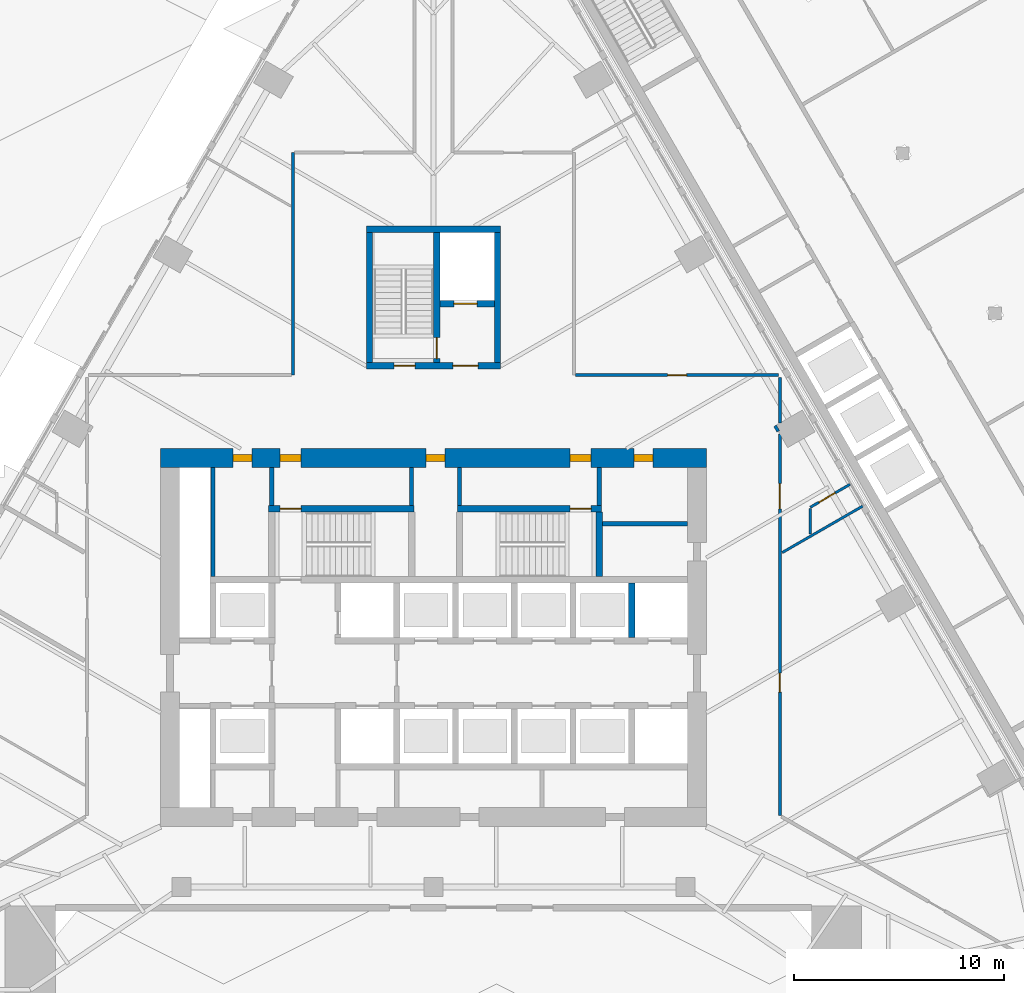
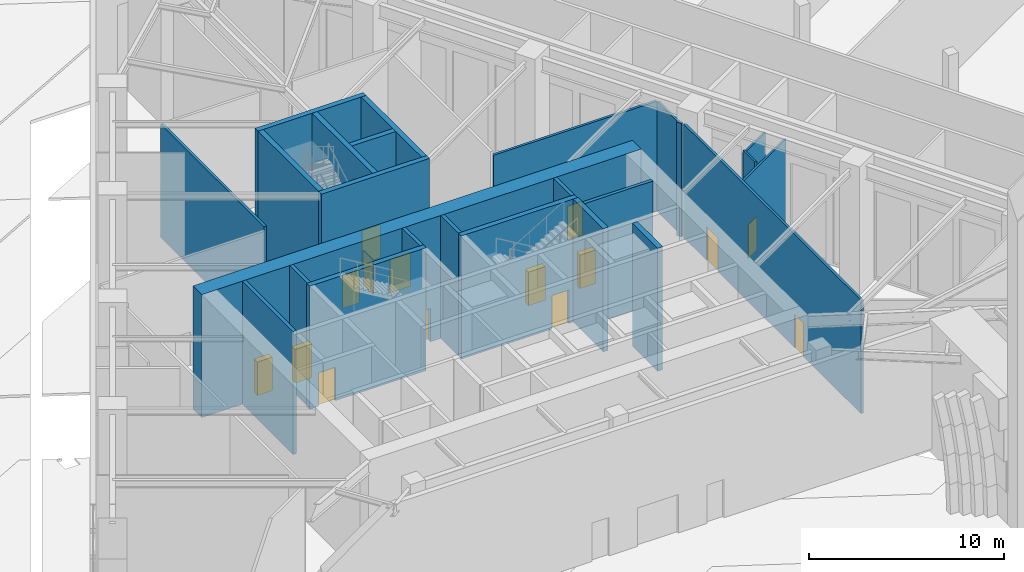
# One storey, part 15 of 34: 25 walls, 15 doors, 15 openings.
"""IFC4 building model written with IfcOpenShell, lengths in metres."""

from ifc_helpers import new_model, si_unit, direction, frame, frame_2d, origin, place, context, subcontext, project, spatial, rectangle, extrude, material, layer, layer_set, type_object, element, fill, save


model = new_model("IFC4")

# Units and contexts
model_context = context("Model", 3, precision=1e-05, world=origin(), true_north=direction((0.0, 1.0)))
body_context = subcontext(model_context, "Body", "Model", "MODEL_VIEW")
ifc_project = project(units=[si_unit("LENGTHUNIT", "METRE"), si_unit("AREAUNIT", "SQUARE_METRE"), si_unit("VOLUMEUNIT", "CUBIC_METRE"), si_unit("PLANEANGLEUNIT", "RADIAN"), si_unit("MASSUNIT", "GRAM", prefix="KILO")], contexts=[model_context])

# Site, building, storey
site_placement = place(None, origin())
site = spatial("IfcSite", under=ifc_project, at=site_placement, CompositionType="ELEMENT")
building_placement = place(site_placement, origin())
building = spatial("IfcBuilding", under=site, at=building_placement, Name="Firuza Gate Tower and Library", CompositionType="ELEMENT")
storey_placement = place(building_placement, origin())
storey = spatial("IfcBuildingStorey", under=building, at=storey_placement, Name="L00", CompositionType="ELEMENT", Elevation=0.0)

# Walls
ifc_material_1 = material(Name="Plasterboard on steel studs", Category="steel")
ifc_layer_1 = layer(ifc_material_1, 0.199951171875)
ifc_layer_set_1 = layer_set([ifc_layer_1], Name="Core partition 200 EI 120")
wall_type_1 = type_object("IfcWallType", Name="Core partition 200 EI 120", PredefinedType="PARTITIONING", material=ifc_layer_set_1)
wall_1_placement = place(storey_placement, frame((64.5, 77.89990234375, 0.0), z_axis=(0.0, 0.0, 1.0), x_axis=(0.0, 1.0, 0.0)))
element("IfcWall", 1, at=wall_1_placement, inside=storey, type_object=wall_type_1, Name="Core partition L00 6", PredefinedType="PARTITIONING", context=body_context, shape_type="SweptSolid", body=[
    extrude(rectangle(XDim=5.2001953125, YDim=0.199951171875, at=frame_2d((2.60009765625, 0.0))), origin(), (0.0, 0.0, 1.0), 7.699951171875),
])
ifc_material_2 = material(Name="Plasterboard on steel studs", Category="steel")
ifc_layer_2 = layer(ifc_material_2, 0.199951171875)
ifc_layer_set_2 = layer_set([ifc_layer_2], Name="Core partition 200 EI 60")
wall_type_2 = type_object("IfcWallType", Name="Core partition 200 EI 60", PredefinedType="PARTITIONING", material=ifc_layer_set_2)
wall_2_placement = place(storey_placement, frame((83.050048828125, 80.425048828125, 0.0), z_axis=(0.0, 0.0, 1.0), x_axis=(1.0, 0.0, 0.0)))
element("IfcWall", 2, at=wall_2_placement, inside=storey, type_object=wall_type_2, Name="Core partition L00 4", PredefinedType="PARTITIONING", context=body_context, shape_type="SweptSolid", body=[
    extrude(rectangle(XDim=4.050048828125, YDim=0.199951171875, at=frame_2d((2.02490234375, 0.0))), origin(), (0.0, 0.0, 1.0), 7.699951171875),
])
for number, where, z_axis, x_axis, name in (
    (3, (67.300048828125, 81.280029296875, 0.0), (0.0, 0.0, 1.0), (0.0, 1.0, 0.0), "Core partition L00 9"),
    (4, (73.9599609375, 81.280029296875, 0.0), (0.0, 0.0, 1.0), (0.0, 1.0, 0.0), "Core partition L00 13"),
    (5, (76.239990234375, 81.280029296875, 0.0), (0.0, 0.0, 1.0), (0.0, 1.0, 0.0), "Core partition L00 14"),
    (6, (82.89990234375, 81.280029296875, 0.0), (0.0, 0.0, 1.0), (0.0, 1.0, 0.0), "Core partition L00 16"),
):
    element("IfcWall", number, at=place(storey_placement, frame(where, z_axis=z_axis, x_axis=x_axis)), inside=storey, type_object=wall_type_2, Name=name, PredefinedType="PARTITIONING", context=body_context, shape_type="SweptSolid", body=[
        extrude(rectangle(XDim=1.820068359375, YDim=0.199951171875, at=frame_2d((0.91015625, 0.0))), origin(), (0.0, 0.0, 1.0), 7.699951171875),
    ])
ifc_material_3 = material(Name="Concrete C80/95", Category="concrete")
ifc_layer_3 = layer(ifc_material_3, 0.300048828125)
ifc_layer_set_3 = layer_set([ifc_layer_3], Name="Core wall 300 C80/95")
wall_type_3 = type_object("IfcWallType", Name="Core wall 300 C80/95", PredefinedType="SHEAR", material=ifc_layer_set_3)
wall_3_placement = place(storey_placement, frame((84.449951171875, 75.0, 0.0), z_axis=(0.0, 0.0, 1.0), x_axis=(0.0, 1.0, 0.0)))
element("IfcWall", 7, at=wall_3_placement, inside=storey, type_object=wall_type_3, Name="Core wall L00 26", PredefinedType="SHEAR", context=body_context, shape_type="SweptSolid", body=[
    extrude(rectangle(XDim=2.60009765625, YDim=0.300048828125, at=frame_2d((1.300048828125, 0.0))), origin(), (0.0, 0.0, 1.0), 7.699951171875),
])

# Wall, opening, door
wall_4_placement = place(storey_placement, frame((67.14990234375, 81.1298828125, 0.0), z_axis=(0.0, 0.0, 1.0), x_axis=(1.0, 0.0, 0.0)))
wall_4 = element("IfcWall", 8, at=wall_4_placement, inside=storey, type_object=wall_type_3, Name="Core wall L00 28", PredefinedType="SHEAR", context=body_context, shape_type="SweptSolid", body=[
    extrude(rectangle(XDim=6.91015625, YDim=0.300048828125, at=frame_2d((3.455078125, 0.0))), origin(), (0.0, 0.0, 1.0), 7.699951171875),
])
opening_1_placement = place(wall_4_placement, frame((0.544921875, 0.0, 0.0)))
opening_1 = element("IfcOpeningElement", 9, at=opening_1_placement, cuts=wall_4, Name="Opening L00-K17", PredefinedType="OPENING", context=body_context, shape_type="SweptSolid", body=[
    extrude(rectangle(XDim=1.0, YDim=2.10009765625, at=frame_2d((0.5, 1.050048828125))), frame((0.0, 0.16015625, 0.0), z_axis=(0.0, -1.0, 0.0), x_axis=(1.0, 0.0, 0.0)), (0.0, 0.0, 1.0), 0.320068359375),
])
ifc_material_4 = material(Name="Steel", Category="steel")
door_type_1 = type_object("IfcDoorType", Name="Fire door 1000x2100 FD90", OperationType="NOTDEFINED", PredefinedType="DOOR", material=ifc_material_4)
door_1_placement = place(opening_1_placement, origin())
door_1 = element("IfcDoor", 10, at=door_1_placement, inside=storey, type_object=door_type_1, Name="Door L00-K17", OperationType="SINGLE_SWING_RIGHT", OverallHeight=2.10009765625, OverallWidth=1.0, PredefinedType="DOOR", context=body_context, shape_type="SweptSolid", body=[
    extrude(rectangle(XDim=1.0, YDim=2.10009765625, at=frame_2d((0.5, 1.050048828125))), frame((0.0, 0.02490234375, 0.0), z_axis=(0.0, -1.0, 0.0), x_axis=(1.0, 0.0, 0.0)), (0.0, 0.0, 1.0), 0.050048828125),
])
fill(opening_1, door_1)

wall_5_placement = place(storey_placement, frame((76.139892578125, 81.1298828125, 0.0), z_axis=(0.0, 0.0, 1.0), x_axis=(1.0, 0.0, 0.0)))
wall_5 = element("IfcWall", 11, at=wall_5_placement, inside=storey, type_object=wall_type_3, Name="Core wall L00 29", PredefinedType="SHEAR", context=body_context, shape_type="SweptSolid", body=[
    extrude(rectangle(XDim=6.860107421875, YDim=0.300048828125, at=frame_2d((3.43017578125, 0.0))), origin(), (0.0, 0.0, 1.0), 7.699951171875),
])
opening_2_placement = place(wall_5_placement, frame((5.364990234375, 0.0, 0.0)))
opening_2 = element("IfcOpeningElement", 12, at=opening_2_placement, cuts=wall_5, Name="Opening L00-K19", PredefinedType="OPENING", context=body_context, shape_type="SweptSolid", body=[
    extrude(rectangle(XDim=1.0, YDim=2.10009765625, at=frame_2d((0.5, 1.050048828125))), frame((0.0, 0.16015625, 0.0), z_axis=(0.0, -1.0, 0.0), x_axis=(1.0, 0.0, 0.0)), (0.0, 0.0, 1.0), 0.320068359375),
])
door_2_placement = place(opening_2_placement, origin())
door_2 = element("IfcDoor", 13, at=door_2_placement, inside=storey, type_object=door_type_1, Name="Door L00-K19", OperationType="SINGLE_SWING_RIGHT", OverallHeight=2.10009765625, OverallWidth=1.0, PredefinedType="DOOR", context=body_context, shape_type="SweptSolid", body=[
    extrude(rectangle(XDim=1.0, YDim=2.10009765625, at=frame_2d((0.5, 1.050048828125))), frame((0.0, 0.02490234375, 0.0), z_axis=(0.0, -1.0, 0.0), x_axis=(1.0, 0.0, 0.0)), (0.0, 0.0, 1.0), 0.050048828125),
])
fill(opening_2, door_2)

# Wall
wall_6_placement = place(storey_placement, frame((82.89990234375, 77.89990234375, 0.0), z_axis=(0.0, 0.0, 1.0), x_axis=(0.0, 1.0, 0.0)))
element("IfcWall", 14, at=wall_6_placement, inside=storey, type_object=wall_type_3, Name="Core wall L00 33", PredefinedType="SHEAR", context=body_context, shape_type="SweptSolid", body=[
    extrude(rectangle(XDim=3.080078125, YDim=0.300048828125, at=frame_2d((1.5400390625, 0.0))), origin(), (0.0, 0.0, 1.0), 7.699951171875),
])

# Wall, openings, doors
wall_7_placement = place(storey_placement, frame((71.800048828125, 87.949951171875, 0.0), z_axis=(0.0, 0.0, 1.0), x_axis=(1.0, 0.0, 0.0)))
wall_7 = element("IfcWall", 15, at=wall_7_placement, inside=storey, type_object=wall_type_3, Name="Core wall L00 34", PredefinedType="SHEAR", context=body_context, shape_type="SweptSolid", body=[
    extrude(rectangle(XDim=6.39990234375, YDim=0.300048828125, at=frame_2d((3.199951171875, 0.0))), origin(), (0.0, 0.0, 1.0), 7.699951171875),
])
opening_3_placement = place(wall_7_placement, frame((1.324951171875, 0.0, 0.0)))
opening_3 = element("IfcOpeningElement", 16, at=opening_3_placement, cuts=wall_7, Name="Opening L00-K21", PredefinedType="OPENING", context=body_context, shape_type="SweptSolid", body=[
    extrude(rectangle(XDim=1.0, YDim=2.10009765625, at=frame_2d((0.5, 1.050048828125))), frame((0.0, 0.16015625, 0.0), z_axis=(0.0, -1.0, 0.0), x_axis=(1.0, 0.0, 0.0)), (0.0, 0.0, 1.0), 0.320068359375),
])
opening_4_placement = place(wall_7_placement, frame((4.125, 0.0, 0.0)))
opening_4 = element("IfcOpeningElement", 17, at=opening_4_placement, cuts=wall_7, Name="Opening L00-K23", PredefinedType="OPENING", context=body_context, shape_type="SweptSolid", body=[
    extrude(rectangle(XDim=1.199951171875, YDim=2.10009765625, at=frame_2d((0.60009765625, 1.050048828125))), frame((0.0, 0.16015625, 0.0), z_axis=(0.0, -1.0, 0.0), x_axis=(1.0, 0.0, 0.0)), (0.0, 0.0, 1.0), 0.320068359375),
])
door_3_placement = place(opening_3_placement, origin())
door_3 = element("IfcDoor", 18, at=door_3_placement, inside=storey, type_object=door_type_1, Name="Door L00-K21", OperationType="SINGLE_SWING_RIGHT", OverallHeight=2.10009765625, OverallWidth=1.0, PredefinedType="DOOR", context=body_context, shape_type="SweptSolid", body=[
    extrude(rectangle(XDim=1.0, YDim=2.10009765625, at=frame_2d((0.5, 1.050048828125))), frame((0.0, 0.02490234375, 0.0), z_axis=(0.0, -1.0, 0.0), x_axis=(1.0, 0.0, 0.0)), (0.0, 0.0, 1.0), 0.050048828125),
])
fill(opening_3, door_3)
ifc_material_5 = material(Name="Steel", Category="steel")
door_type_2 = type_object("IfcDoorType", Name="Fire door 1200x2100 FD30S", OperationType="NOTDEFINED", PredefinedType="DOOR", material=ifc_material_5)
door_4_placement = place(opening_4_placement, origin())
door_4 = element("IfcDoor", 19, at=door_4_placement, inside=storey, type_object=door_type_2, Name="Door L00-K23", OperationType="SINGLE_SWING_RIGHT", OverallHeight=2.10009765625, OverallWidth=1.199951171875, PredefinedType="DOOR", context=body_context, shape_type="SweptSolid", body=[
    extrude(rectangle(XDim=1.199951171875, YDim=2.10009765625, at=frame_2d((0.60009765625, 1.050048828125))), frame((0.0, 0.02490234375, 0.0), z_axis=(0.0, -1.0, 0.0), x_axis=(1.0, 0.0, 0.0)), (0.0, 0.0, 1.0), 0.050048828125),
])
fill(opening_4, door_4)

# Walls
wall_8_placement = place(storey_placement, frame((71.800048828125, 94.449951171875, 0.0), z_axis=(0.0, 0.0, 1.0), x_axis=(1.0, 0.0, 0.0)))
element("IfcWall", 20, at=wall_8_placement, inside=storey, type_object=wall_type_3, Name="Core wall L00 35", PredefinedType="SHEAR", context=body_context, shape_type="SweptSolid", body=[
    extrude(rectangle(XDim=6.39990234375, YDim=0.300048828125, at=frame_2d((3.199951171875, 0.0))), origin(), (0.0, 0.0, 1.0), 7.699951171875),
])
for number, where, z_axis, x_axis, name in (
    (21, (71.949951171875, 88.10009765625, 0.0), (0.0, 0.0, 1.0), (0.0, 1.0, 0.0), "Core wall L00 36"),
    (22, (78.050048828125, 88.10009765625, 0.0), (0.0, 0.0, 1.0), (0.0, 1.0, 0.0), "Core wall L00 37"),
):
    element("IfcWall", number, at=place(storey_placement, frame(where, z_axis=z_axis, x_axis=x_axis)), inside=storey, type_object=wall_type_3, Name=name, PredefinedType="SHEAR", context=body_context, shape_type="SweptSolid", body=[
        extrude(rectangle(XDim=6.199951171875, YDim=0.300048828125, at=frame_2d((3.10009765625, 0.0))), origin(), (0.0, 0.0, 1.0), 7.699951171875),
    ])

# Wall, opening, door
wall_9_placement = place(storey_placement, frame((75.300048828125, 90.89990234375, 0.0), z_axis=(0.0, 0.0, 1.0), x_axis=(1.0, 0.0, 0.0)))
wall_9 = element("IfcWall", 23, at=wall_9_placement, inside=storey, type_object=wall_type_3, Name="Core wall L00 38", PredefinedType="SHEAR", context=body_context, shape_type="SweptSolid", body=[
    extrude(rectangle(XDim=2.599853515625, YDim=0.300048828125, at=frame_2d((1.2998046875, 0.0))), origin(), (0.0, 0.0, 1.0), 7.699951171875),
])
opening_5_placement = place(wall_9_placement, frame((0.675048828125, 0.0, 0.0)))
opening_5 = element("IfcOpeningElement", 24, at=opening_5_placement, cuts=wall_9, Name="Opening LD-SV1-L00", PredefinedType="OPENING", context=body_context, shape_type="SweptSolid", body=[
    extrude(rectangle(XDim=1.10009765625, YDim=2.10009765625, at=frame_2d((0.550048828125, 1.050048828125))), frame((0.0, 0.16015625, 0.0), z_axis=(0.0, -1.0, 0.0), x_axis=(1.0, 0.0, 0.0)), (0.0, 0.0, 1.0), 0.320068359375),
])
ifc_material_6 = material(Name="Stainless steel", Category="steel")
door_type_3 = type_object("IfcDoorType", Name="Lift landing door 1100x2100", OperationType="DOUBLE_DOOR_SLIDING", PredefinedType="DOOR", material=ifc_material_6)
door_5_placement = place(opening_5_placement, origin())
door_5 = element("IfcDoor", 25, at=door_5_placement, inside=storey, type_object=door_type_3, Name="Landing door SV1 L00", OperationType="DOUBLE_DOOR_SLIDING", OverallHeight=2.10009765625, OverallWidth=1.10009765625, PredefinedType="DOOR", context=body_context, shape_type="SweptSolid", body=[
    extrude(rectangle(XDim=1.10009765625, YDim=2.10009765625, at=frame_2d((0.550048828125, 1.050048828125))), frame((0.0, 0.02490234375, 0.0), z_axis=(0.0, -1.0, 0.0), x_axis=(1.0, 0.0, 0.0)), (0.0, 0.0, 1.0), 0.050048828125),
])
fill(opening_5, door_5)

wall_10_placement = place(storey_placement, frame((75.14990234375, 88.10009765625, 0.0), z_axis=(0.0, 0.0, 1.0), x_axis=(0.0, 1.0, 0.0)))
wall_10 = element("IfcWall", 26, at=wall_10_placement, inside=storey, type_object=wall_type_3, Name="Core wall L00 39", PredefinedType="SHEAR", context=body_context, shape_type="SweptSolid", body=[
    extrude(rectangle(XDim=6.199951171875, YDim=0.300048828125, at=frame_2d((3.10009765625, 0.0))), origin(), (0.0, 0.0, 1.0), 7.699951171875),
])
opening_6_placement = place(wall_10_placement, frame((0.18505859375, 0.0, 0.0)))
opening_6 = element("IfcOpeningElement", 27, at=opening_6_placement, cuts=wall_10, Name="Opening L00-K22", PredefinedType="OPENING", context=body_context, shape_type="SweptSolid", body=[
    extrude(rectangle(XDim=1.0, YDim=2.10009765625, at=frame_2d((0.5, 1.050048828125))), frame((0.0, 0.16015625, 0.0), z_axis=(0.0, -1.0, 0.0), x_axis=(1.0, 0.0, 0.0)), (0.0, 0.0, 1.0), 0.320068359375),
])
door_6_placement = place(opening_6_placement, origin())
door_6 = element("IfcDoor", 28, at=door_6_placement, inside=storey, type_object=door_type_1, Name="Door L00-K22", OperationType="SINGLE_SWING_LEFT", OverallHeight=2.10009765625, OverallWidth=1.0, PredefinedType="DOOR", context=body_context, shape_type="SweptSolid", body=[
    extrude(rectangle(XDim=1.0, YDim=2.10009765625, at=frame_2d((0.5, 1.050048828125))), frame((0.0, 0.02490234375, 0.0), z_axis=(0.0, -1.0, 0.0), x_axis=(1.0, 0.0, 0.0)), (0.0, 0.0, 1.0), 0.050048828125),
])
fill(opening_6, door_6)

# Wall, openings, doors
ifc_material_7 = material(Name="Concrete C80/95", Category="concrete")
ifc_layer_4 = layer(ifc_material_7, 0.89990234375)
ifc_layer_set_4 = layer_set([ifc_layer_4], Name="Core wall 900 C80/95")
wall_type_4 = type_object("IfcWallType", Name="Core wall 900 C80/95", PredefinedType="SHEAR", material=ifc_layer_set_4)
wall_11_placement = place(storey_placement, frame((62.0, 83.550048828125, 0.0), z_axis=(0.0, 0.0, 1.0), x_axis=(1.0, 0.0, 0.0)))
wall_11 = element("IfcWall", 29, at=wall_11_placement, inside=storey, type_object=wall_type_4, Name="Core wall L00 2", PredefinedType="SHEAR", context=body_context, shape_type="SweptSolid", body=[
    extrude(rectangle(XDim=26.0, YDim=0.89990234375, at=frame_2d((13.0, 0.0))), origin(), (0.0, 0.0, 1.0), 7.699951171875),
])
opening_7_placement = place(wall_11_placement, frame((5.695068359375, 0.0, 0.0)))
opening_7 = element("IfcOpeningElement", 30, at=opening_7_placement, cuts=wall_11, Name="Opening L00-K18", PredefinedType="OPENING", context=body_context, shape_type="SweptSolid", body=[
    extrude(rectangle(XDim=1.0, YDim=2.10009765625, at=frame_2d((0.5, 1.050048828125))), frame((0.0, 0.4599609375, 0.0), z_axis=(0.0, -1.0, 0.0), x_axis=(1.0, 0.0, 0.0)), (0.0, 0.0, 1.0), 0.919921875),
])
opening_8_placement = place(wall_11_placement, frame((19.5048828125, 0.0, 0.0)))
opening_8 = element("IfcOpeningElement", 31, at=opening_8_placement, cuts=wall_11, Name="Opening L00-K20", PredefinedType="OPENING", context=body_context, shape_type="SweptSolid", body=[
    extrude(rectangle(XDim=1.0, YDim=2.10009765625, at=frame_2d((0.5, 1.050048828125))), frame((0.0, 0.4599609375, 0.0), z_axis=(0.0, -1.0, 0.0), x_axis=(1.0, 0.0, 0.0)), (0.0, 0.0, 1.0), 0.919921875),
])
opening_9_placement = place(wall_11_placement, frame((3.449951171875, 0.0, 0.0)))
opening_9 = element("IfcOpeningElement", 32, at=opening_9_placement, cuts=wall_11, Name="Opening L00-K33", PredefinedType="OPENING", context=body_context, shape_type="SweptSolid", body=[
    extrude(rectangle(XDim=0.89990234375, YDim=2.10009765625, at=frame_2d((0.449951171875, 1.050048828125))), frame((0.0, 0.4599609375, 0.0), z_axis=(0.0, -1.0, 0.0), x_axis=(1.0, 0.0, 0.0)), (0.0, 0.0, 1.0), 0.919921875),
])
opening_10_placement = place(wall_11_placement, frame((12.64990234375, 0.0, 0.0)))
opening_10 = element("IfcOpeningElement", 33, at=opening_10_placement, cuts=wall_11, Name="Opening L00-K34", PredefinedType="OPENING", context=body_context, shape_type="SweptSolid", body=[
    extrude(rectangle(XDim=0.89990234375, YDim=2.10009765625, at=frame_2d((0.449951171875, 1.050048828125))), frame((0.0, 0.4599609375, 0.0), z_axis=(0.0, -1.0, 0.0), x_axis=(1.0, 0.0, 0.0)), (0.0, 0.0, 1.0), 0.919921875),
])
opening_11_placement = place(wall_11_placement, frame((22.550048828125, 0.0, 0.0)))
opening_11 = element("IfcOpeningElement", 34, at=opening_11_placement, cuts=wall_11, Name="Opening L00-K36", PredefinedType="OPENING", context=body_context, shape_type="SweptSolid", body=[
    extrude(rectangle(XDim=0.89990234375, YDim=2.10009765625, at=frame_2d((0.449951171875, 1.050048828125))), frame((0.0, 0.4599609375, 0.0), z_axis=(0.0, -1.0, 0.0), x_axis=(1.0, 0.0, 0.0)), (0.0, 0.0, 1.0), 0.919921875),
])
door_7_placement = place(opening_7_placement, origin())
door_7 = element("IfcDoor", 35, at=door_7_placement, inside=storey, type_object=door_type_1, Name="Door L00-K18", OperationType="SINGLE_SWING_LEFT", OverallHeight=2.10009765625, OverallWidth=1.0, PredefinedType="DOOR", context=body_context, shape_type="SweptSolid", body=[
    extrude(rectangle(XDim=1.0, YDim=2.10009765625, at=frame_2d((0.5, 1.050048828125))), frame((0.0, 0.169921875, 0.0), z_axis=(0.0, -1.0, 0.0), x_axis=(1.0, 0.0, 0.0)), (0.0, 0.0, 1.0), 0.33984375),
])
fill(opening_7, door_7)
door_8_placement = place(opening_8_placement, origin())
door_8 = element("IfcDoor", 36, at=door_8_placement, inside=storey, type_object=door_type_1, Name="Door L00-K20", OperationType="SINGLE_SWING_LEFT", OverallHeight=2.10009765625, OverallWidth=1.0, PredefinedType="DOOR", context=body_context, shape_type="SweptSolid", body=[
    extrude(rectangle(XDim=1.0, YDim=2.10009765625, at=frame_2d((0.5, 1.050048828125))), frame((0.0, 0.169921875, 0.0), z_axis=(0.0, -1.0, 0.0), x_axis=(1.0, 0.0, 0.0)), (0.0, 0.0, 1.0), 0.33984375),
])
fill(opening_8, door_8)
ifc_material_8 = material(Name="Steel", Category="steel")
door_type_4 = type_object("IfcDoorType", Name="Fire door 900x2100 FD30S", OperationType="NOTDEFINED", PredefinedType="DOOR", material=ifc_material_8)
door_9_placement = place(opening_9_placement, origin())
door_9 = element("IfcDoor", 37, at=door_9_placement, inside=storey, type_object=door_type_4, Name="Door L00-K33", OperationType="SINGLE_SWING_RIGHT", OverallHeight=2.10009765625, OverallWidth=0.89990234375, PredefinedType="DOOR", context=body_context, shape_type="SweptSolid", body=[
    extrude(rectangle(XDim=0.89990234375, YDim=2.10009765625, at=frame_2d((0.449951171875, 1.050048828125))), frame((0.0, 0.169921875, 0.0), z_axis=(0.0, -1.0, 0.0), x_axis=(1.0, 0.0, 0.0)), (0.0, 0.0, 1.0), 0.33984375),
])
fill(opening_9, door_9)
door_10_placement = place(opening_10_placement, origin())
door_10 = element("IfcDoor", 38, at=door_10_placement, inside=storey, type_object=door_type_4, Name="Door L00-K34", OperationType="SINGLE_SWING_LEFT", OverallHeight=2.10009765625, OverallWidth=0.89990234375, PredefinedType="DOOR", context=body_context, shape_type="SweptSolid", body=[
    extrude(rectangle(XDim=0.89990234375, YDim=2.10009765625, at=frame_2d((0.449951171875, 1.050048828125))), frame((0.0, 0.169921875, 0.0), z_axis=(0.0, -1.0, 0.0), x_axis=(1.0, 0.0, 0.0)), (0.0, 0.0, 1.0), 0.33984375),
])
fill(opening_10, door_10)
door_11_placement = place(opening_11_placement, origin())
door_11 = element("IfcDoor", 39, at=door_11_placement, inside=storey, type_object=door_type_4, Name="Door L00-K36", OperationType="SINGLE_SWING_LEFT", OverallHeight=2.10009765625, OverallWidth=0.89990234375, PredefinedType="DOOR", context=body_context, shape_type="SweptSolid", body=[
    extrude(rectangle(XDim=0.89990234375, YDim=2.10009765625, at=frame_2d((0.449951171875, 1.050048828125))), frame((0.0, 0.169921875, 0.0), z_axis=(0.0, -1.0, 0.0), x_axis=(1.0, 0.0, 0.0)), (0.0, 0.0, 1.0), 0.33984375),
])
fill(opening_11, door_11)

# Wall, opening, door
ifc_material_9 = material(Name="Gypsum board partition")
ifc_layer_5 = layer(ifc_material_9, 0.14990234375)
ifc_layer_set_5 = layer_set([ifc_layer_5], Name="Corridor wall 150 double board on steel studs")
wall_type_5 = type_object("IfcWallType", Name="Corridor wall 150 double board on steel studs", PredefinedType="PARTITIONING", material=ifc_layer_set_5)
wall_12_placement = place(storey_placement, frame((81.77490234375, 87.5, 0.0), z_axis=(0.0, 0.0, 1.0), x_axis=(1.0, 0.0, 0.0)))
wall_12 = element("IfcWall", 40, at=wall_12_placement, inside=storey, type_object=wall_type_5, Name="f:L00:w001", PredefinedType="PARTITIONING", context=body_context, shape_type="SweptSolid", body=[
    extrude(rectangle(XDim=9.661865234375, YDim=0.14990234375, at=frame_2d((4.8310546875, 0.0))), origin(), (0.0, 0.0, 1.0), 6.864990234375),
])
opening_12_placement = place(wall_12_placement, frame((4.380859375, 0.0, 0.0)))
opening_12 = element("IfcOpeningElement", 41, at=opening_12_placement, cuts=wall_12, Name="Opening L00-02", PredefinedType="OPENING", context=body_context, shape_type="SweptSolid", body=[
    extrude(rectangle(XDim=0.89990234375, YDim=2.10009765625, at=frame_2d((0.449951171875, 1.050048828125))), frame((0.0, 0.0849609375, 0.0), z_axis=(0.0, -1.0, 0.0), x_axis=(1.0, 0.0, 0.0)), (0.0, 0.0, 1.0), 0.169921875),
])
ifc_material_10 = material(Name="Steel door and timber leaf", Category="steel")
door_type_5 = type_object("IfcDoorType", Name="Fire door 900 x 2100 steel frame, timber leaf", OperationType="NOTDEFINED", PredefinedType="DOOR", material=ifc_material_10)
door_12_placement = place(opening_12_placement, origin())
door_12 = element("IfcDoor", 42, at=door_12_placement, inside=storey, type_object=door_type_5, Name="f:L00:d002", OperationType="SINGLE_SWING_RIGHT", OverallHeight=2.10009765625, OverallWidth=0.89990234375, PredefinedType="DOOR", context=body_context, shape_type="SweptSolid", body=[
    extrude(rectangle(XDim=0.89990234375, YDim=2.10009765625, at=frame_2d((0.449951171875, 1.050048828125))), frame((0.0, 0.02490234375, 0.0), z_axis=(0.0, -1.0, 0.0), x_axis=(1.0, 0.0, 0.0)), (0.0, 0.0, 1.0), 0.050048828125),
])
fill(opening_12, door_12)

# Wall, openings, doors
wall_13_placement = place(storey_placement, frame((91.5, 84.690185546875, 0.0), z_axis=(0.0, 0.0, 1.0), x_axis=(0.0, -1.0, 0.0)))
wall_13 = element("IfcWall", 43, at=wall_13_placement, inside=storey, type_object=wall_type_5, Name="f:L00:w016", PredefinedType="PARTITIONING", context=body_context, shape_type="SweptSolid", body=[
    extrude(rectangle(XDim=18.17724609375, YDim=0.14990234375, at=frame_2d((9.088623046875, 0.0))), origin(), (0.0, 0.0, 1.0), 7.10009765625),
])
opening_13_placement = place(wall_13_placement, frame((2.354736328125, 0.0, 0.0)))
opening_13 = element("IfcOpeningElement", 44, at=opening_13_placement, cuts=wall_13, Name="Opening L00-08", PredefinedType="OPENING", context=body_context, shape_type="SweptSolid", body=[
    extrude(rectangle(XDim=1.199951171875, YDim=2.10009765625, at=frame_2d((0.60009765625, 1.050048828125))), frame((0.0, 0.0849609375, 0.0), z_axis=(0.0, -1.0, 0.0), x_axis=(1.0, 0.0, 0.0)), (0.0, 0.0, 1.0), 0.169921875),
])
opening_14_placement = place(wall_13_placement, frame((11.39013671875, 0.0, 0.0)))
opening_14 = element("IfcOpeningElement", 45, at=opening_14_placement, cuts=wall_13, Name="Opening L00-09", PredefinedType="OPENING", context=body_context, shape_type="SweptSolid", body=[
    extrude(rectangle(XDim=0.89990234375, YDim=2.10009765625, at=frame_2d((0.449951171875, 1.050048828125))), frame((0.0, 0.0849609375, 0.0), z_axis=(0.0, -1.0, 0.0), x_axis=(1.0, 0.0, 0.0)), (0.0, 0.0, 1.0), 0.169921875),
])
ifc_material_11 = material(Name="Steel door and timber leaf", Category="steel")
door_type_6 = type_object("IfcDoorType", Name="Fire door 1200 x 2100 steel frame, double leaf", OperationType="NOTDEFINED", PredefinedType="DOOR", material=ifc_material_11)
door_13_placement = place(opening_13_placement, origin())
door_13 = element("IfcDoor", 46, at=door_13_placement, inside=storey, type_object=door_type_6, Name="f:L00:d008", OperationType="DOUBLE_DOOR_SINGLE_SWING", OverallHeight=2.10009765625, OverallWidth=1.199951171875, PredefinedType="DOOR", context=body_context, shape_type="SweptSolid", body=[
    extrude(rectangle(XDim=1.199951171875, YDim=2.10009765625, at=frame_2d((0.60009765625, 1.050048828125))), frame((0.0, 0.02490234375, 0.0), z_axis=(0.0, -1.0, 0.0), x_axis=(1.0, 0.0, 0.0)), (0.0, 0.0, 1.0), 0.050048828125),
])
fill(opening_13, door_13)
door_14_placement = place(opening_14_placement, origin())
door_14 = element("IfcDoor", 47, at=door_14_placement, inside=storey, type_object=door_type_5, Name="f:L00:d009", OperationType="SINGLE_SWING_RIGHT", OverallHeight=2.10009765625, OverallWidth=0.89990234375, PredefinedType="DOOR", context=body_context, shape_type="SweptSolid", body=[
    extrude(rectangle(XDim=0.89990234375, YDim=2.10009765625, at=frame_2d((0.449951171875, 1.050048828125))), frame((0.0, 0.02490234375, 0.0), z_axis=(0.0, -1.0, 0.0), x_axis=(1.0, 0.0, 0.0)), (0.0, 0.0, 1.0), 0.050048828125),
])
fill(opening_14, door_14)

# Walls
wall_14_placement = place(storey_placement, frame((91.5, 85.219482421875, 0.0), z_axis=(0.0, 0.0, 1.0), x_axis=(0.0, 1.0, 0.0)))
element("IfcWall", 48, at=wall_14_placement, inside=storey, type_object=wall_type_5, Name="f:L00:w017", PredefinedType="PARTITIONING", context=body_context, shape_type="SweptSolid", body=[
    extrude(rectangle(XDim=2.169921875, YDim=0.14990234375, at=frame_2d((1.0849609375, 0.0))), origin(), (0.0, 0.0, 1.0), 6.864990234375),
])
wall_15_placement = place(storey_placement, frame((68.300048828125, 87.5, 0.0), z_axis=(0.0, 0.0, 1.0), x_axis=(0.0, 1.0, 0.0)))
element("IfcWall", 49, at=wall_15_placement, inside=storey, type_object=wall_type_5, Name="f:L00:w022", PredefinedType="PARTITIONING", context=body_context, shape_type="SweptSolid", body=[
    extrude(rectangle(XDim=10.599609375, YDim=0.14990234375, at=frame_2d((5.2998046875, 0.0))), origin(), (0.0, 0.0, 1.0), 7.10009765625),
])
wall_16_placement = place(storey_placement, frame((91.42529296875, 84.820556640625, 0.0), z_axis=(0.0, 0.0, 1.0), x_axis=(-0.4998141712, 0.866132665513, 0.0)))
element("IfcWall", 50, at=wall_16_placement, inside=storey, type_object=wall_type_5, Name="f:L00:w027", PredefinedType="PARTITIONING", context=body_context, shape_type="SweptSolid", body=[
    extrude(rectangle(XDim=0.30712890625, YDim=0.14990234375, at=frame_2d((0.153564453125, 0.0))), origin(), (0.0, 0.0, 1.0), 7.10009765625),
])
ifc_material_12 = material(Name="Gypsum board partition")
ifc_layer_6 = layer(ifc_material_12, 0.1201171875)
ifc_layer_set_6 = layer_set([ifc_layer_6], Name="Wet-area partition 120 moisture-resistant board")
wall_type_6 = type_object("IfcWallType", Name="Wet-area partition 120 moisture-resistant board", PredefinedType="PARTITIONING", material=ifc_layer_set_6)
wall_17_placement = place(storey_placement, frame((91.609619140625, 79.047119140625, 0.0), z_axis=(0.0, 0.0, 1.0), x_axis=(0.866032485742, 0.499987733489, 0.0)))
element("IfcWall", 51, at=wall_17_placement, inside=storey, type_object=wall_type_6, Name="f:L00:w007", PredefinedType="PARTITIONING", context=body_context, shape_type="SweptSolid", body=[
    extrude(rectangle(XDim=4.4345703125, YDim=0.1201171875, at=frame_2d((2.21728515625, 0.0))), origin(), (0.0, 0.0, 1.0), 6.864990234375),
])

# Wall, opening, door
wall_18_placement = place(storey_placement, frame((92.949951171875, 81.20654296875, 0.0), z_axis=(0.0, 0.0, 1.0), x_axis=(0.866002138589, 0.500040294336, 0.0)))
wall_18 = element("IfcWall", 52, at=wall_18_placement, inside=storey, type_object=wall_type_6, Name="f:L00:w008", PredefinedType="PARTITIONING", context=body_context, shape_type="SweptSolid", body=[
    extrude(rectangle(XDim=2.194091796875, YDim=0.1201171875, at=frame_2d((1.09716796875, 0.0))), origin(), (0.0, 0.0, 1.0), 6.864990234375),
])
opening_15_placement = place(wall_18_placement, frame((0.468017578125, 0.0, 0.0)))
opening_15 = element("IfcOpeningElement", 53, at=opening_15_placement, cuts=wall_18, Name="Opening L00-05", PredefinedType="OPENING", context=body_context, shape_type="SweptSolid", body=[
    extrude(rectangle(XDim=0.89990234375, YDim=2.10009765625, at=frame_2d((0.449951171875, 1.050048828125))), frame((0.0, 0.070068359375, 0.0), z_axis=(0.0, -1.0, 0.0), x_axis=(1.0, 0.0, 0.0)), (0.0, 0.0, 1.0), 0.14013671875),
])
ifc_material_13 = material(Name="Timber door", Category="wood")
door_type_7 = type_object("IfcDoorType", Name="Door 900 x 2100 timber leaf", OperationType="NOTDEFINED", PredefinedType="DOOR", material=ifc_material_13)
door_15_placement = place(opening_15_placement, origin())
door_15 = element("IfcDoor", 54, at=door_15_placement, inside=storey, type_object=door_type_7, Name="f:L00:d005", OperationType="SINGLE_SWING_LEFT", OverallHeight=2.10009765625, OverallWidth=0.89990234375, PredefinedType="DOOR", context=body_context, shape_type="SweptSolid", body=[
    extrude(rectangle(XDim=0.89990234375, YDim=2.10009765625, at=frame_2d((0.449951171875, 1.050048828125))), frame((0.0, 0.02490234375, 0.0), z_axis=(0.0, -1.0, 0.0), x_axis=(1.0, 0.0, 0.0)), (0.0, 0.0, 1.0), 0.050048828125),
])
fill(opening_15, door_15)

# Wall
wall_19_placement = place(storey_placement, frame((92.949951171875, 79.93017578125, 0.0), z_axis=(0.0, 0.0, 1.0), x_axis=(0.0, 1.0, 0.0)))
element("IfcWall", 55, at=wall_19_placement, inside=storey, type_object=wall_type_6, Name="f:L00:w015", PredefinedType="PARTITIONING", context=body_context, shape_type="SweptSolid", body=[
    extrude(rectangle(XDim=1.20703125, YDim=0.1201171875, at=frame_2d((0.603515625, 0.0))), origin(), (0.0, 0.0, 1.0), 7.10009765625),
])

save(model, "model.ifc")
